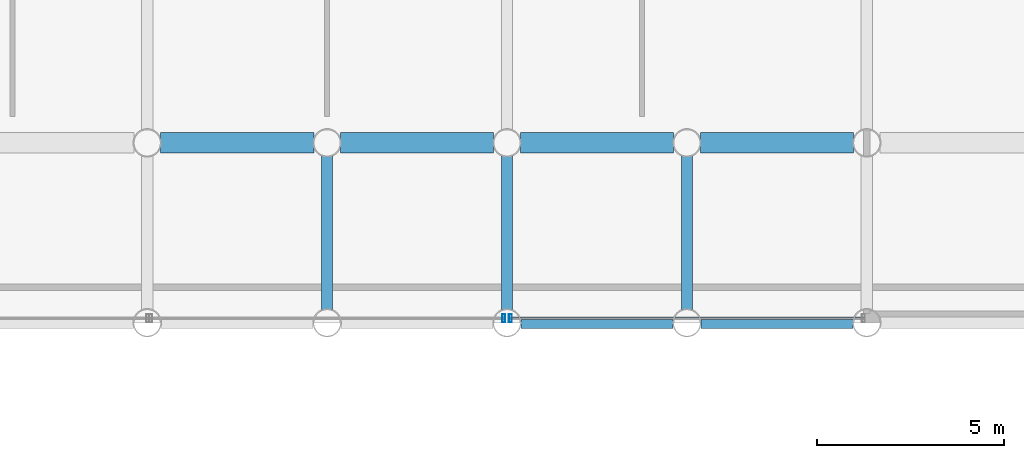
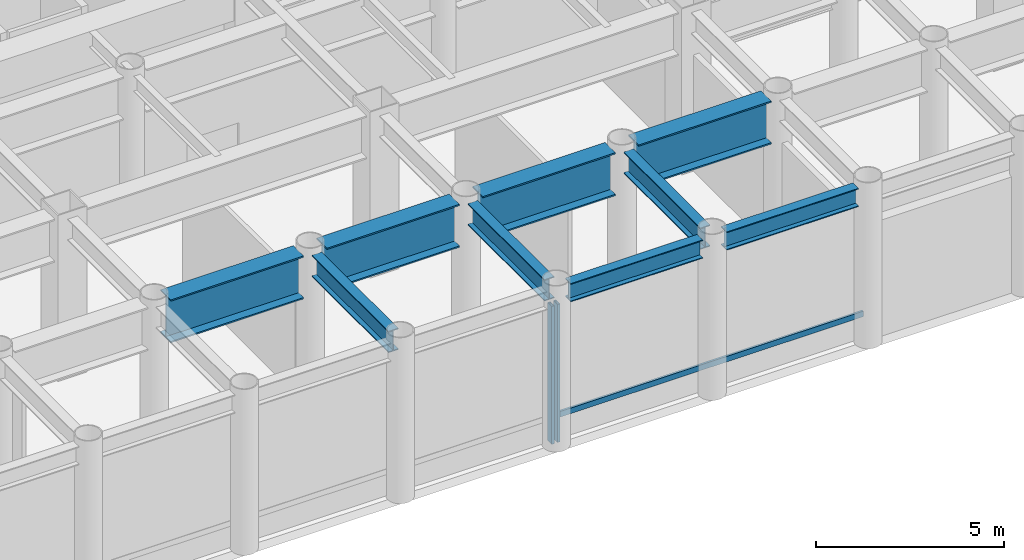
# One storey, part 4 of 17: 9 beams, 3 members, 2 elements without a shape of their own.
"""IFC4 building model written with IfcOpenShell, lengths in metres."""

from ifc_helpers import new_model, si_unit, direction, frame, origin, origin_2d, place, context, subcontext, project, spatial, hollow_rectangle, i_section, extrude, material, layer, layer_set, material_profile, profile_set, type_object, element, aggregate, save


model = new_model("IFC4")

# Units and contexts
model_context = context("Model", 3, precision=1e-05, world=origin(), true_north=direction((0.0, 1.0)))
body_context = subcontext(model_context, "Body", "Model", "MODEL_VIEW")
ifc_project = project(units=[si_unit("LENGTHUNIT", "METRE"), si_unit("AREAUNIT", "SQUARE_METRE"), si_unit("VOLUMEUNIT", "CUBIC_METRE"), si_unit("PLANEANGLEUNIT", "RADIAN"), si_unit("MASSUNIT", "GRAM", prefix="KILO")], contexts=[model_context])

# Site, building, storey
site_placement = place(None, origin())
site = spatial("IfcSite", under=ifc_project, at=site_placement, CompositionType="ELEMENT")
building_placement = place(site_placement, origin())
building = spatial("IfcBuilding", under=site, at=building_placement, Name="Kallvorn Hotel Tower", CompositionType="ELEMENT")
storey_placement = place(building_placement, frame((0.0, 0.0, 19.199951171875)))
storey = spatial("IfcBuildingStorey", under=building, at=storey_placement, Name="L03", CompositionType="ELEMENT", Elevation=19.199951171875)

# Beams
ifc_material_1 = material(Name="Structural steel S355JR", Category="steel")
ifc_material_profile_1 = material_profile(ifc_material_1, i_section(OverallWidth=0.300048828125, OverallDepth=0.60009765625, WebThickness=0.015380859375, FlangeThickness=0.030029296875, at=origin_2d()), Name="HE 600 B")
ifc_profile_set_1 = profile_set([ifc_material_profile_1], Name="Structural steel S355JR")
beam_type_1 = type_object("IfcBeamType", Name="BM_HE600B", PredefinedType="SPANDREL", material=ifc_profile_set_1)
for number, where, z_axis, x_axis, name in (
    (1, (5.1708984375, -24.0, 4.880126953125), (1.0, 0.0, 0.0), (0.0, 1.0, 0.0), "L04 Perimeter Spandrel 179"),
    (2, (9.970947265625, -24.0, 4.880126953125), (1.0, 0.0, 0.0), (0.0, 1.0, 0.0), "L04 Perimeter Spandrel 180"),
):
    element("IfcBeam", number, at=place(storey_placement, frame(where, z_axis=z_axis, x_axis=x_axis)), inside=storey, type_object=beam_type_1, Name=name, PredefinedType="SPANDREL", context=body_context, shape_type="SweptSolid", body=[
        extrude(i_section(OverallWidth=0.300048828125, OverallDepth=0.60009765625, WebThickness=0.015380859375, FlangeThickness=0.030029296875, at=origin_2d()), origin(), (0.0, 0.0, 1.0), 4.05810546875),
    ])
ifc_material_2 = material(Name="Structural steel S355JR", Category="steel")
ifc_material_profile_2 = material_profile(ifc_material_2, i_section(OverallWidth=0.300048828125, OverallDepth=0.699951171875, WebThickness=0.01708984375, FlangeThickness=0.031982421875, at=origin_2d()), Name="HE 700 B")
ifc_profile_set_2 = profile_set([ifc_material_profile_2], Name="Structural steel S355JR")
beam_type_2 = type_object("IfcBeamType", Name="BM_HE700B", PredefinedType="BEAM", material=ifc_profile_set_2)
for number, where, z_axis, x_axis, name in (
    (3, (0.0, -23.64404296875, 4.830078125), (0.0, 1.0, 0.0), (-1.0, 0.0, 0.0), "L04 Primary Y-Girder 124"),
    (4, (4.800048828125, -23.64404296875, 4.830078125), (0.0, 1.0, 0.0), (-1.0, 0.0, 0.0), "L04 Primary Y-Girder 128"),
    (5, (9.60009765625, -23.64404296875, 4.830078125), (0.0, 1.0, 0.0), (-1.0, 0.0, 0.0), "L04 Primary Y-Girder 134"),
):
    element("IfcBeam", number, at=place(storey_placement, frame(where, z_axis=z_axis, x_axis=x_axis)), inside=storey, type_object=beam_type_2, Name=name, PredefinedType="BEAM", context=body_context, shape_type="SweptSolid", body=[
        extrude(i_section(OverallWidth=0.300048828125, OverallDepth=0.699951171875, WebThickness=0.01708984375, FlangeThickness=0.031982421875, at=origin_2d()), origin(), (0.0, 0.0, 1.0), 4.088134765625),
    ])
ifc_material_3 = material(Name="Structural steel S355JR", Category="steel")
ifc_material_profile_3 = material_profile(ifc_material_3, i_section(OverallWidth=0.550048828125, OverallDepth=1.39990234375, WebThickness=0.02490234375, FlangeThickness=0.044921875, at=origin_2d()), Name="PG 1400x550x25x45")
ifc_profile_set_3 = profile_set([ifc_material_profile_3], Name="Structural steel S355JR")
beam_type_3 = type_object("IfcBeamType", Name="BM_PG_1400", PredefinedType="BEAM", material=ifc_profile_set_3)
for number, where, z_axis, x_axis, name in (
    (6, (-4.444091796875, -19.199951171875, 4.47998046875), (1.0, 0.0, 0.0), (0.0, 1.0, 0.0), "L04 Primary X-Girder 07"),
    (7, (0.35595703125, -19.199951171875, 4.47998046875), (1.0, 0.0, 0.0), (0.0, 1.0, 0.0), "L04 Primary X-Girder 08"),
):
    element("IfcBeam", number, at=place(storey_placement, frame(where, z_axis=z_axis, x_axis=x_axis)), inside=storey, type_object=beam_type_3, Name=name, PredefinedType="BEAM", context=body_context, shape_type="SweptSolid", body=[
        extrude(i_section(OverallWidth=0.550048828125, OverallDepth=1.39990234375, WebThickness=0.02490234375, FlangeThickness=0.044921875, at=origin_2d()), origin(), (0.0, 0.0, 1.0), 4.088134765625),
    ])
for number, where, z_axis, x_axis, name in (
    (8, (5.156005859375, -19.199951171875, 4.47998046875), (1.0, 0.0, 0.0), (0.0, 1.0, 0.0), "L04 Primary X-Girder 09"),
    (9, (9.9560546875, -19.199951171875, 4.47998046875), (1.0, 0.0, 0.0), (0.0, 1.0, 0.0), "L04 Primary X-Girder 10"),
):
    element("IfcBeam", number, at=place(storey_placement, frame(where, z_axis=z_axis, x_axis=x_axis)), inside=storey, type_object=beam_type_3, Name=name, PredefinedType="BEAM", context=body_context, shape_type="SweptSolid", body=[
        extrude(i_section(OverallWidth=0.550048828125, OverallDepth=1.39990234375, WebThickness=0.02490234375, FlangeThickness=0.044921875, at=origin_2d()), origin(), (0.0, 0.0, 1.0), 4.087890625),
    ])

# Curtain wall, member
ifc_material_4 = material(Name="Thermally broken black-anodised aluminium AA 6063-T6", Category="aluminium")
ifc_layer = layer(ifc_material_4, 0.219970703125)
ifc_layer_set = layer_set([ifc_layer], Name="CW_SYS_2_PODIUM_CASC")
curtain_wall_type = type_object("IfcCurtainWallType", Name="CW_SYS_2_PODIUM_CASC", PredefinedType="USERDEFINED", material=ifc_layer_set)
curtain_wall_1_placement = place(storey_placement, origin())
curtain_wall_1 = element("IfcCurtainWall", 10, at=curtain_wall_1_placement, inside=storey, type_object=curtain_wall_type, Name="L03 Dark-Glass Curtain Wall CW-L03-S2", ObjectType="UNITISED CURTAIN WALL", PredefinedType="USERDEFINED")
ifc_material_5 = material(Name="Thermally broken black-anodised aluminium AA 6063-T6", Category="aluminium")
ifc_material_profile_4 = material_profile(ifc_material_5, hollow_rectangle(XDim=0.080078125, YDim=0.219970703125, WallThickness=0.0048828125, at=origin_2d()), Name="MUL 220x80")
ifc_profile_set_4 = profile_set([ifc_material_profile_4], Name="Thermally broken black-anodised aluminium AA 6063-T6")
member_type_1 = type_object("IfcMemberType", Name="CW_MULLION_220x80", PredefinedType="MULLION", material=ifc_profile_set_4)
member_1_placement = place(storey_placement, frame((4.7099609375, -23.8798828125, 0.02001953125), z_axis=(0.0, 0.0, 1.0), x_axis=(1.0, 0.0, 0.0)))
member_1 = element("IfcMember", 11, at=member_1_placement, type_object=member_type_1, Name="CW-L03-S2 Mullion 01", PredefinedType="MULLION", context=body_context, shape_type="SweptSolid", body=[
    extrude(hollow_rectangle(XDim=0.080078125, YDim=0.219970703125, WallThickness=0.0048828125, at=origin_2d()), origin(), (0.0, 0.0, 1.0), 4.489990234375),
])
aggregate(curtain_wall_1, [member_1])

# Curtain wall, members
curtain_wall_2_placement = place(storey_placement, origin())
curtain_wall_2 = element("IfcCurtainWall", 12, at=curtain_wall_2_placement, inside=storey, type_object=curtain_wall_type, Name="L03 Dark-Glass Curtain Wall CW-L03-S3", ObjectType="UNITISED CURTAIN WALL", PredefinedType="USERDEFINED")
member_2_placement = place(storey_placement, frame((4.889892578125, -23.8798828125, 0.02001953125), z_axis=(0.0, 0.0, 1.0), x_axis=(1.0, 0.0, 0.0)))
member_2 = element("IfcMember", 13, at=member_2_placement, type_object=member_type_1, Name="CW-L03-S3 Mullion 00", PredefinedType="MULLION", context=body_context, shape_type="SweptSolid", body=[
    extrude(hollow_rectangle(XDim=0.080078125, YDim=0.219970703125, WallThickness=0.0048828125, at=origin_2d()), origin(), (0.0, 0.0, 1.0), 4.489990234375),
])
ifc_material_6 = material(Name="Thermally broken black-anodised aluminium AA 6063-T6", Category="aluminium")
ifc_material_profile_5 = material_profile(ifc_material_6, hollow_rectangle(XDim=0.070068359375, YDim=0.179931640625, WallThickness=0.00390625, at=origin_2d()), Name="TRN 180x70")
ifc_profile_set_5 = profile_set([ifc_material_profile_5], Name="Thermally broken black-anodised aluminium AA 6063-T6")
member_type_2 = type_object("IfcMemberType", Name="CW_TRANSOM_180x70", PredefinedType="USERDEFINED", material=ifc_profile_set_5)
member_3_placement = place(storey_placement, frame((4.889892578125, -23.8798828125, 0.85009765625), z_axis=(1.0, 0.0, 0.0), x_axis=(0.0, 1.0, 0.0)))
member_3 = element("IfcMember", 14, at=member_3_placement, type_object=member_type_2, Name="CW-L03-S3 Transom 00M", ObjectType="TRANSOM", PredefinedType="USERDEFINED", context=body_context, shape_type="SweptSolid", body=[
    extrude(hollow_rectangle(XDim=0.070068359375, YDim=0.179931640625, WallThickness=0.00390625, at=origin_2d()), origin(), (0.0, 0.0, 1.0), 9.420166015625),
])
aggregate(curtain_wall_2, [member_2, member_3])

save(model, "model.ifc")
